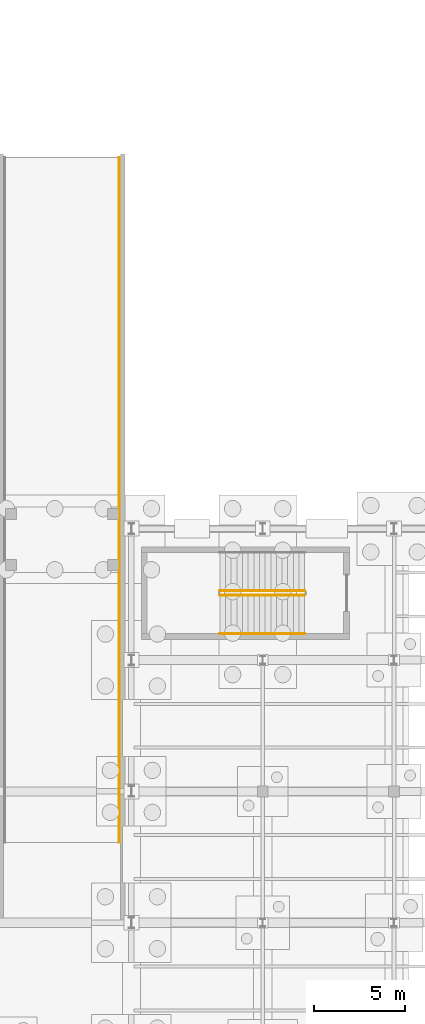
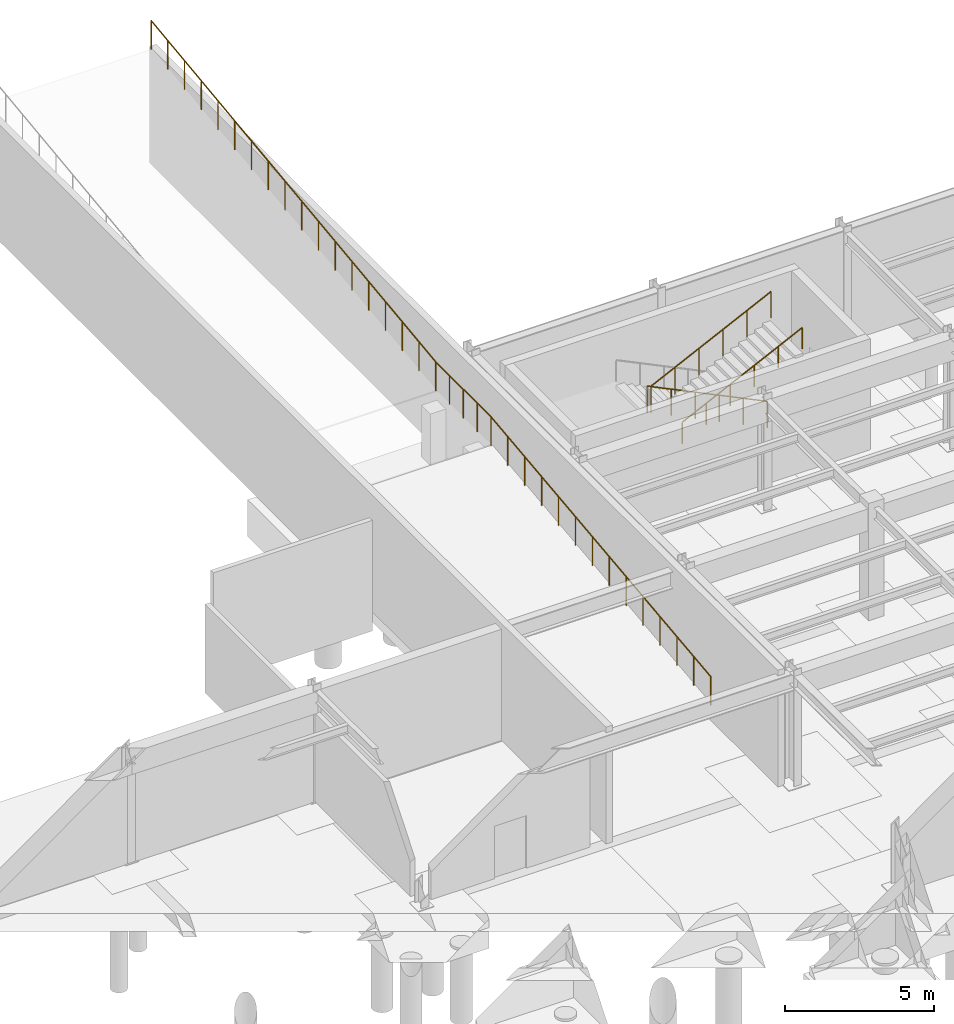
# One storey, part 62 of 64: 4 railings.
"""IFC4 building model written with IfcOpenShell, lengths in metres."""

from ifc_helpers import new_model, si_unit, direction, frame, origin, origin_2d, place, context, subcontext, project, spatial, circle, extrude, material, type_object, element, save


model = new_model("IFC4")

# Units and contexts
model_context = context("Model", 3, precision=1e-05, world=origin(), true_north=direction((0.0, 1.0)))
body_context = subcontext(model_context, "Body", "Model", "MODEL_VIEW")
ifc_project = project(units=[si_unit("LENGTHUNIT", "METRE"), si_unit("AREAUNIT", "SQUARE_METRE"), si_unit("VOLUMEUNIT", "CUBIC_METRE"), si_unit("PLANEANGLEUNIT", "RADIAN"), si_unit("MASSUNIT", "GRAM", prefix="KILO")], contexts=[model_context])

# Site, building, storey
site_placement = place(None, origin())
site = spatial("IfcSite", under=ifc_project, at=site_placement, CompositionType="ELEMENT")
building_placement = place(site_placement, origin())
building = spatial("IfcBuilding", under=site, at=building_placement, Name="Solvadek Multi-Sports Hall", CompositionType="ELEMENT")
storey_placement = place(building_placement, frame((0.0, 0.0, -4.800048828125)))
storey = spatial("IfcBuildingStorey", under=building, at=storey_placement, Name="B1", CompositionType="ELEMENT", Elevation=-4.800048828125)

# Railings
ifc_material = material(Name="Steel E250 (250 MPa)", Category="steel")
railing_type_1 = type_object("IfcRailingType", Name="INT-RAL-GRD115", PredefinedType="BALUSTRADE", material=ifc_material)
railing_1_placement = place(storey_placement, frame((146.300048828125, 67.39990234375, 0.150146484375)))
element("IfcRailing", 1, at=railing_1_placement, inside=storey, type_object=railing_type_1, Name="B1 ST-06 stair guard 1", PredefinedType="BALUSTRADE", context=body_context, shape_type="SweptSolid", body=[
    extrude(circle(Radius=0.02392578125, at=origin_2d()), frame((0.0, 0.0, 1.076171875), z_axis=(-0.900164630878, 0.0, 0.435549810373), x_axis=(0.0, -1.0, 0.0)), (0.0, 0.0, 1.0), 5.165771484375),
    extrude(circle(Radius=0.02099609375, at=origin_2d()), origin(), (0.0, 0.0, 1.0), 1.052001953125),
    extrude(circle(Radius=0.02099609375, at=origin_2d()), frame((-0.929931640625, 0.0, 0.449951171875)), (0.0, 0.0, 1.0), 1.052001953125),
    extrude(circle(Radius=0.02099609375, at=origin_2d()), frame((-1.860107421875, 0.0, 0.89990234375)), (0.0, 0.0, 1.0), 1.052001953125),
    extrude(circle(Radius=0.02099609375, at=origin_2d()), frame((-2.7900390625, 0.0, 1.35009765625)), (0.0, 0.0, 1.0), 1.052001953125),
    extrude(circle(Radius=0.02099609375, at=origin_2d()), frame((-3.72021484375, 0.0, 1.800048828125)), (0.0, 0.0, 1.0), 1.052001953125),
    extrude(circle(Radius=0.02099609375, at=origin_2d()), frame((-4.650146484375, 0.0, 2.25)), (0.0, 0.0, 1.0), 1.052001953125),
])
railing_2_placement = place(storey_placement, frame((141.64990234375, 67.14990234375, 2.550048828125)))
element("IfcRailing", 2, at=railing_2_placement, inside=storey, type_object=railing_type_1, Name="B1 ST-06 stair guard 3", PredefinedType="BALUSTRADE", context=body_context, shape_type="SweptSolid", body=[
    extrude(circle(Radius=0.02392578125, at=origin_2d()), frame((0.0, 0.0, 1.076171875), z_axis=(0.900164630878, 0.0, 0.435549810373), x_axis=(0.0, 1.0, 0.0)), (0.0, 0.0, 1.0), 5.165771484375),
    extrude(circle(Radius=0.02099609375, at=origin_2d()), origin(), (0.0, 0.0, 1.0), 1.052001953125),
    extrude(circle(Radius=0.02099609375, at=origin_2d()), frame((0.929931640625, 0.0, 0.449951171875)), (0.0, 0.0, 1.0), 1.052001953125),
    extrude(circle(Radius=0.02099609375, at=origin_2d()), frame((1.860107421875, 0.0, 0.89990234375)), (0.0, 0.0, 1.0), 1.052001953125),
    extrude(circle(Radius=0.02099609375, at=origin_2d()), frame((2.7900390625, 0.0, 1.35009765625)), (0.0, 0.0, 1.0), 1.052001953125),
    extrude(circle(Radius=0.02099609375, at=origin_2d()), frame((3.72021484375, 0.0, 1.800048828125)), (0.0, 0.0, 1.0), 1.052001953125),
    extrude(circle(Radius=0.02099609375, at=origin_2d()), frame((4.650146484375, 0.0, 2.25)), (0.0, 0.0, 1.0), 1.052001953125),
])
railing_3_placement = place(storey_placement, frame((136.139892578125, 53.60009765625, 0.699951171875)))
element("IfcRailing", 3, at=railing_3_placement, inside=storey, type_object=railing_type_1, Name="East Car Park Vehicle Ramp VR-02 Side Safety Guard E", PredefinedType="BALUSTRADE", context=body_context, shape_type="SweptSolid", body=[
    extrude(circle(Radius=0.02392578125, at=origin_2d()), frame((0.0, 0.0, 1.17578125), z_axis=(0.0, 0.993422179676, 0.114509270049), x_axis=(-1.0, 0.0, 0.0)), (0.0, 0.0, 1.0), 14.84765625),
    extrude(circle(Radius=0.02392578125, at=origin_2d()), frame((0.0, 14.75, 2.8759765625), z_axis=(0.0, 1.0, 0.0), x_axis=(-1.0, 0.0, 0.0)), (0.0, 0.0, 1.0), 3.699951171875),
    extrude(circle(Radius=0.02392578125, at=origin_2d()), frame((0.0, 18.449951171875, 2.8759765625), z_axis=(0.0, 0.992198260719, 0.124670010135), x_axis=(-1.0, 0.0, 0.0)), (0.0, 0.0, 1.0), 19.25),
    extrude(circle(Radius=0.02099609375, at=origin_2d()), origin(), (0.0, 0.0, 1.0), 1.15185546875),
    extrude(circle(Radius=0.02099609375, at=origin_2d()), frame((0.0, 1.134521484375, 0.130859375)), (0.0, 0.0, 1.0), 1.15185546875),
    extrude(circle(Radius=0.02099609375, at=origin_2d()), frame((0.0, 2.269287109375, 0.261474609375)), (0.0, 0.0, 1.0), 1.15185546875),
    extrude(circle(Radius=0.02099609375, at=origin_2d()), frame((0.0, 3.40380859375, 0.392333984375)), (0.0, 0.0, 1.0), 1.15185546875),
    extrude(circle(Radius=0.02099609375, at=origin_2d()), frame((0.0, 4.53857421875, 0.523193359375)), (0.0, 0.0, 1.0), 1.15185546875),
    extrude(circle(Radius=0.02099609375, at=origin_2d()), frame((0.0, 5.673095703125, 0.65380859375)), (0.0, 0.0, 1.0), 1.15185546875),
    extrude(circle(Radius=0.02099609375, at=origin_2d()), frame((0.0, 6.8076171875, 0.78466796875)), (0.0, 0.0, 1.0), 1.15185546875),
    extrude(circle(Radius=0.02099609375, at=origin_2d()), frame((0.0, 7.9423828125, 0.91552734375)), (0.0, 0.0, 1.0), 1.15185546875),
    extrude(circle(Radius=0.02099609375, at=origin_2d()), frame((0.0, 9.076904296875, 1.04638671875)), (0.0, 0.0, 1.0), 1.15185546875),
    extrude(circle(Radius=0.02099609375, at=origin_2d()), frame((0.0, 10.21142578125, 1.177001953125)), (0.0, 0.0, 1.0), 1.15185546875),
    extrude(circle(Radius=0.02099609375, at=origin_2d()), frame((0.0, 11.34619140625, 1.307861328125)), (0.0, 0.0, 1.0), 1.15185546875),
    extrude(circle(Radius=0.02099609375, at=origin_2d()), frame((0.0, 12.480712890625, 1.438720703125)), (0.0, 0.0, 1.0), 1.15185546875),
    extrude(circle(Radius=0.02099609375, at=origin_2d()), frame((0.0, 13.615478515625, 1.5693359375)), (0.0, 0.0, 1.0), 1.15185546875),
    extrude(circle(Radius=0.02099609375, at=origin_2d()), frame((0.0, 14.75, 1.7001953125)), (0.0, 0.0, 1.0), 1.15185546875),
    extrude(circle(Radius=0.02099609375, at=origin_2d()), frame((0.0, 15.675048828125, 1.7001953125)), (0.0, 0.0, 1.0), 1.15185546875),
    extrude(circle(Radius=0.02099609375, at=origin_2d()), frame((0.0, 16.60009765625, 1.7001953125)), (0.0, 0.0, 1.0), 1.15185546875),
    extrude(circle(Radius=0.02099609375, at=origin_2d()), frame((0.0, 17.52490234375, 1.7001953125)), (0.0, 0.0, 1.0), 1.15185546875),
    extrude(circle(Radius=0.02099609375, at=origin_2d()), frame((0.0, 18.449951171875, 1.7001953125)), (0.0, 0.0, 1.0), 1.15185546875),
    extrude(circle(Radius=0.02099609375, at=origin_2d()), frame((0.0, 19.573486328125, 1.84130859375)), (0.0, 0.0, 1.0), 1.15185546875),
    extrude(circle(Radius=0.02099609375, at=origin_2d()), frame((0.0, 20.697021484375, 1.982421875)), (0.0, 0.0, 1.0), 1.15185546875),
    extrude(circle(Radius=0.02099609375, at=origin_2d()), frame((0.0, 21.820556640625, 2.123779296875)), (0.0, 0.0, 1.0), 1.15185546875),
    extrude(circle(Radius=0.02099609375, at=origin_2d()), frame((0.0, 22.944091796875, 2.264892578125)), (0.0, 0.0, 1.0), 1.15185546875),
    extrude(circle(Radius=0.02099609375, at=origin_2d()), frame((0.0, 24.067626953125, 2.406005859375)), (0.0, 0.0, 1.0), 1.15185546875),
    extrude(circle(Radius=0.02099609375, at=origin_2d()), frame((0.0, 25.191162109375, 2.547119140625)), (0.0, 0.0, 1.0), 1.15185546875),
    extrude(circle(Radius=0.02099609375, at=origin_2d()), frame((0.0, 26.314697265625, 2.6884765625)), (0.0, 0.0, 1.0), 1.15185546875),
    extrude(circle(Radius=0.02099609375, at=origin_2d()), frame((0.0, 27.438232421875, 2.82958984375)), (0.0, 0.0, 1.0), 1.15185546875),
    extrude(circle(Radius=0.02099609375, at=origin_2d()), frame((0.0, 28.5615234375, 2.970703125)), (0.0, 0.0, 1.0), 1.15185546875),
    extrude(circle(Radius=0.02099609375, at=origin_2d()), frame((0.0, 29.68505859375, 3.11181640625)), (0.0, 0.0, 1.0), 1.15185546875),
    extrude(circle(Radius=0.02099609375, at=origin_2d()), frame((0.0, 30.80859375, 3.253173828125)), (0.0, 0.0, 1.0), 1.15185546875),
    extrude(circle(Radius=0.02099609375, at=origin_2d()), frame((0.0, 31.93212890625, 3.394287109375)), (0.0, 0.0, 1.0), 1.15185546875),
    extrude(circle(Radius=0.02099609375, at=origin_2d()), frame((0.0, 33.0556640625, 3.535400390625)), (0.0, 0.0, 1.0), 1.15185546875),
    extrude(circle(Radius=0.02099609375, at=origin_2d()), frame((0.0, 34.17919921875, 3.676513671875)), (0.0, 0.0, 1.0), 1.15185546875),
    extrude(circle(Radius=0.02099609375, at=origin_2d()), frame((0.0, 35.302734375, 3.81787109375)), (0.0, 0.0, 1.0), 1.15185546875),
    extrude(circle(Radius=0.02099609375, at=origin_2d()), frame((0.0, 36.42626953125, 3.958984375)), (0.0, 0.0, 1.0), 1.15185546875),
    extrude(circle(Radius=0.02099609375, at=origin_2d()), frame((0.0, 37.5498046875, 4.10009765625)), (0.0, 0.0, 1.0), 1.15185546875),
])
railing_type_2 = type_object("IfcRailingType", Name="INT-RAL-HND090", PredefinedType="HANDRAIL", material=ifc_material)
railing_4_placement = place(storey_placement, frame((141.64990234375, 65.050048828125, 2.550048828125)))
element("IfcRailing", 4, at=railing_4_placement, inside=storey, type_object=railing_type_2, Name="B1 ST-06 stair handrail 2", PredefinedType="HANDRAIL", context=body_context, shape_type="SweptSolid", body=[
    extrude(circle(Radius=0.02392578125, at=origin_2d()), frame((0.0, 0.0, 0.8759765625), z_axis=(0.900164630878, 0.0, 0.435549810373), x_axis=(0.0, 1.0, 0.0)), (0.0, 0.0, 1.0), 5.165771484375),
    extrude(circle(Radius=0.02099609375, at=origin_2d()), origin(), (0.0, 0.0, 1.0), 0.851806640625),
    extrude(circle(Radius=0.02099609375, at=origin_2d()), frame((0.929931640625, 0.0, 0.449951171875)), (0.0, 0.0, 1.0), 0.851806640625),
    extrude(circle(Radius=0.02099609375, at=origin_2d()), frame((1.860107421875, 0.0, 0.89990234375)), (0.0, 0.0, 1.0), 0.851806640625),
    extrude(circle(Radius=0.02099609375, at=origin_2d()), frame((2.7900390625, 0.0, 1.35009765625)), (0.0, 0.0, 1.0), 0.851806640625),
    extrude(circle(Radius=0.02099609375, at=origin_2d()), frame((3.72021484375, 0.0, 1.800048828125)), (0.0, 0.0, 1.0), 0.851806640625),
    extrude(circle(Radius=0.02099609375, at=origin_2d()), frame((4.650146484375, 0.0, 2.25)), (0.0, 0.0, 1.0), 0.851806640625),
])

save(model, "model.ifc")
